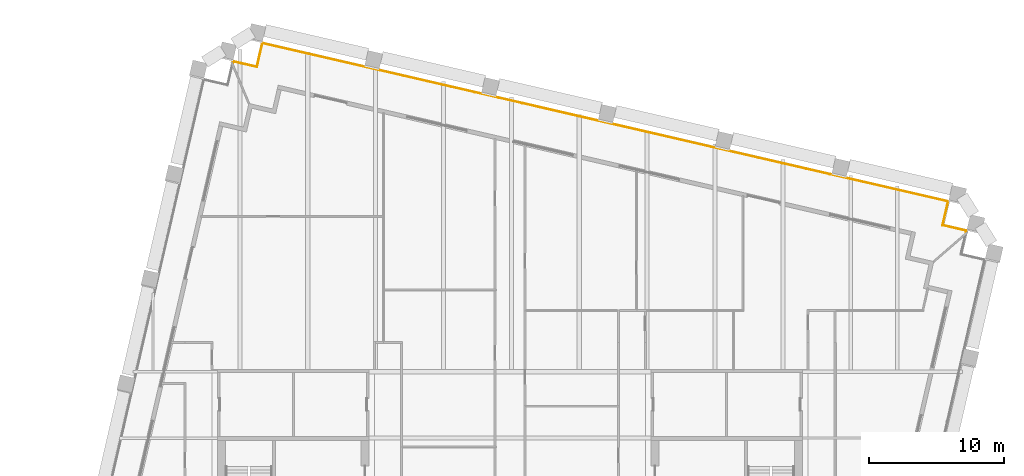
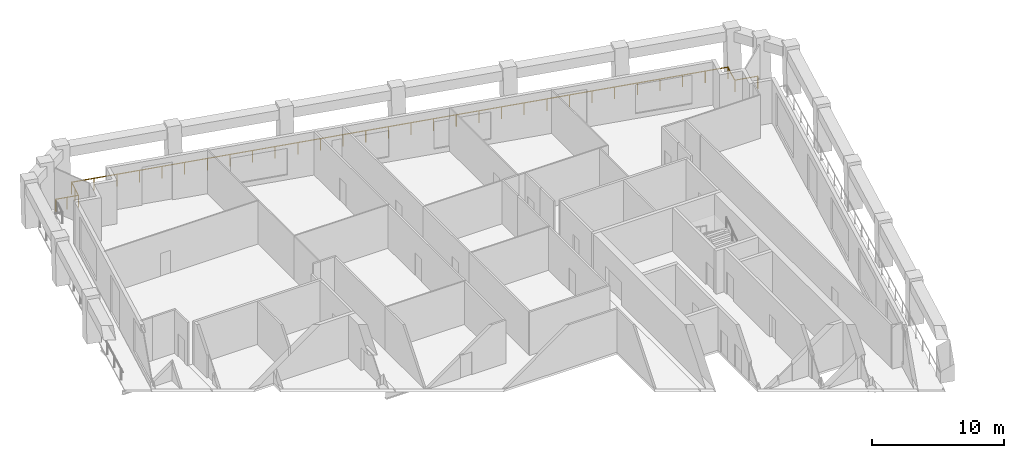
# One storey, part 11 of 11: 1 railing.
"""IFC4 building model written with IfcOpenShell, lengths in metres."""

from ifc_helpers import new_model, si_unit, direction, frame, origin, origin_2d, place, context, subcontext, project, spatial, circle, extrude, material, type_object, element, save


model = new_model("IFC4")

# Units and contexts
model_context = context("Model", 3, precision=1e-05, world=origin(), true_north=direction((0.0, 1.0)))
body_context = subcontext(model_context, "Body", "Model", "MODEL_VIEW")
ifc_project = project(units=[si_unit("LENGTHUNIT", "METRE"), si_unit("AREAUNIT", "SQUARE_METRE"), si_unit("VOLUMEUNIT", "CUBIC_METRE"), si_unit("PLANEANGLEUNIT", "RADIAN"), si_unit("MASSUNIT", "GRAM", prefix="KILO")], contexts=[model_context])

# Site, building, storey
site_placement = place(None, origin())
site = spatial("IfcSite", under=ifc_project, at=site_placement, CompositionType="ELEMENT")
building_placement = place(site_placement, origin())
building = spatial("IfcBuilding", under=site, at=building_placement, Name="Ogive Exchange Tower", CompositionType="ELEMENT")
storey_placement = place(building_placement, frame((0.0, 0.0, 247.199951171875)))
storey = spatial("IfcBuildingStorey", under=building, at=storey_placement, Name="L53", CompositionType="ELEMENT", Elevation=247.199951171875)

# Railing
ifc_material = material(Name="Stainless steel 316", Category="steel")
railing_type = type_object("IfcRailingType", Name="Guard 1100 stainless steel and glass", PredefinedType="GUARDRAIL", material=ifc_material)
railing_placement = place(storey_placement, frame((-20.466064453125, 53.34521484375, -0.050048828125)))
element("IfcRailing", 1, at=railing_placement, inside=storey, type_object=railing_type, Name="Loggia guard 3", PredefinedType="GUARDRAIL", context=body_context, shape_type="SweptSolid", body=[
    extrude(circle(Radius=0.02392578125, at=origin_2d()), frame((0.0, 0.0, 1.076171875), z_axis=(0.224041299099, 0.974579651079, 0.0), x_axis=(-0.974579651079, 0.224041299099, 0.0)), (0.0, 0.0, 1.0), 0.10888671875),
    extrude(circle(Radius=0.02392578125, at=origin_2d()), frame((0.0244140625, 0.106201171875, 1.076171875), z_axis=(0.974356896201, -0.225008086135, 0.0), x_axis=(0.225008086135, 0.974356896201, 0.0)), (0.0, 0.0, 1.0), 1.800048828125),
    extrude(circle(Radius=0.02392578125, at=origin_2d()), frame((1.7783203125, -0.298828125, 1.076171875), z_axis=(0.225008086135, 0.974356896201, 0.0), x_axis=(-0.974356896201, 0.225008086135, 0.0)), (0.0, 0.0, 1.0), 1.800048828125),
    extrude(circle(Radius=0.02392578125, at=origin_2d()), frame((2.183349609375, 1.455078125, 1.076171875), z_axis=(0.974369889087, -0.224951815376, 0.0), x_axis=(0.224951815376, 0.974369889087, 0.0)), (0.0, 0.0, 1.0), 51.9599609375),
    extrude(circle(Radius=0.02392578125, at=origin_2d()), frame((52.8115234375, -10.2333984375, 1.076171875), z_axis=(-0.224909041816, -0.974379763188, 0.0), x_axis=(0.974379763188, -0.224909041816, 0.0)), (0.0, 0.0, 1.0), 1.7998046875),
    extrude(circle(Radius=0.02392578125, at=origin_2d()), frame((52.40673828125, -11.987060546875, 1.076171875), z_axis=(0.974350028141, -0.22503782496, 0.0), x_axis=(0.22503782496, 0.974350028141, 0.0)), (0.0, 0.0, 1.0), 1.7998046875),
    extrude(circle(Radius=0.02392578125, at=origin_2d()), frame((54.160400390625, -12.39208984375, 1.076171875), z_axis=(-0.22355315143, -0.974691740237, 0.0), x_axis=(0.974691740237, -0.22355315143, 0.0)), (0.0, 0.0, 1.0), 0.109130859375),
    extrude(circle(Radius=0.02099609375, at=origin_2d()), origin(), (0.0, 0.0, 1.0), 1.052001953125),
    extrude(circle(Radius=0.02099609375, at=origin_2d()), frame((0.0244140625, 0.106201171875, 0.0)), (0.0, 0.0, 1.0), 1.052001953125),
    extrude(circle(Radius=0.02099609375, at=origin_2d()), frame((0.9013671875, -0.09619140625, 0.0)), (0.0, 0.0, 1.0), 1.052001953125),
    extrude(circle(Radius=0.02099609375, at=origin_2d()), frame((1.7783203125, -0.298828125, 0.0)), (0.0, 0.0, 1.0), 1.052001953125),
    extrude(circle(Radius=0.02099609375, at=origin_2d()), frame((1.98095703125, 0.578125, 0.0)), (0.0, 0.0, 1.0), 1.052001953125),
    extrude(circle(Radius=0.02099609375, at=origin_2d()), frame((2.183349609375, 1.455078125, 0.0)), (0.0, 0.0, 1.0), 1.052001953125),
    extrude(circle(Radius=0.02099609375, at=origin_2d()), frame((3.92919921875, 1.052001953125, 0.0)), (0.0, 0.0, 1.0), 1.052001953125),
    extrude(circle(Radius=0.02099609375, at=origin_2d()), frame((5.675048828125, 0.64892578125, 0.0)), (0.0, 0.0, 1.0), 1.052001953125),
    extrude(circle(Radius=0.02099609375, at=origin_2d()), frame((7.420654296875, 0.245849609375, 0.0)), (0.0, 0.0, 1.0), 1.052001953125),
    extrude(circle(Radius=0.02099609375, at=origin_2d()), frame((9.16650390625, -0.1572265625, 0.0)), (0.0, 0.0, 1.0), 1.052001953125),
    extrude(circle(Radius=0.02099609375, at=origin_2d()), frame((10.912353515625, -0.56005859375, 0.0)), (0.0, 0.0, 1.0), 1.052001953125),
    extrude(circle(Radius=0.02099609375, at=origin_2d()), frame((12.658203125, -0.963134765625, 0.0)), (0.0, 0.0, 1.0), 1.052001953125),
    extrude(circle(Radius=0.02099609375, at=origin_2d()), frame((14.404052734375, -1.3662109375, 0.0)), (0.0, 0.0, 1.0), 1.052001953125),
    extrude(circle(Radius=0.02099609375, at=origin_2d()), frame((16.149658203125, -1.769287109375, 0.0)), (0.0, 0.0, 1.0), 1.052001953125),
    extrude(circle(Radius=0.02099609375, at=origin_2d()), frame((17.8955078125, -2.17236328125, 0.0)), (0.0, 0.0, 1.0), 1.052001953125),
    extrude(circle(Radius=0.02099609375, at=origin_2d()), frame((19.641357421875, -2.575439453125, 0.0)), (0.0, 0.0, 1.0), 1.052001953125),
    extrude(circle(Radius=0.02099609375, at=origin_2d()), frame((21.38720703125, -2.978515625, 0.0)), (0.0, 0.0, 1.0), 1.052001953125),
    extrude(circle(Radius=0.02099609375, at=origin_2d()), frame((23.133056640625, -3.381591796875, 0.0)), (0.0, 0.0, 1.0), 1.052001953125),
    extrude(circle(Radius=0.02099609375, at=origin_2d()), frame((24.878662109375, -3.78466796875, 0.0)), (0.0, 0.0, 1.0), 1.052001953125),
    extrude(circle(Radius=0.02099609375, at=origin_2d()), frame((26.62451171875, -4.187744140625, 0.0)), (0.0, 0.0, 1.0), 1.052001953125),
    extrude(circle(Radius=0.02099609375, at=origin_2d()), frame((28.370361328125, -4.590576171875, 0.0)), (0.0, 0.0, 1.0), 1.052001953125),
    extrude(circle(Radius=0.02099609375, at=origin_2d()), frame((30.1162109375, -4.99365234375, 0.0)), (0.0, 0.0, 1.0), 1.052001953125),
    extrude(circle(Radius=0.02099609375, at=origin_2d()), frame((31.86181640625, -5.396728515625, 0.0)), (0.0, 0.0, 1.0), 1.052001953125),
    extrude(circle(Radius=0.02099609375, at=origin_2d()), frame((33.607666015625, -5.7998046875, 0.0)), (0.0, 0.0, 1.0), 1.052001953125),
    extrude(circle(Radius=0.02099609375, at=origin_2d()), frame((35.353515625, -6.202880859375, 0.0)), (0.0, 0.0, 1.0), 1.052001953125),
    extrude(circle(Radius=0.02099609375, at=origin_2d()), frame((37.099365234375, -6.60595703125, 0.0)), (0.0, 0.0, 1.0), 1.052001953125),
    extrude(circle(Radius=0.02099609375, at=origin_2d()), frame((38.84521484375, -7.009033203125, 0.0)), (0.0, 0.0, 1.0), 1.052001953125),
    extrude(circle(Radius=0.02099609375, at=origin_2d()), frame((40.5908203125, -7.412109375, 0.0)), (0.0, 0.0, 1.0), 1.052001953125),
    extrude(circle(Radius=0.02099609375, at=origin_2d()), frame((42.336669921875, -7.815185546875, 0.0)), (0.0, 0.0, 1.0), 1.052001953125),
    extrude(circle(Radius=0.02099609375, at=origin_2d()), frame((44.08251953125, -8.21826171875, 0.0)), (0.0, 0.0, 1.0), 1.052001953125),
    extrude(circle(Radius=0.02099609375, at=origin_2d()), frame((45.828369140625, -8.62109375, 0.0)), (0.0, 0.0, 1.0), 1.052001953125),
    extrude(circle(Radius=0.02099609375, at=origin_2d()), frame((47.57421875, -9.024169921875, 0.0)), (0.0, 0.0, 1.0), 1.052001953125),
    extrude(circle(Radius=0.02099609375, at=origin_2d()), frame((49.31982421875, -9.42724609375, 0.0)), (0.0, 0.0, 1.0), 1.052001953125),
    extrude(circle(Radius=0.02099609375, at=origin_2d()), frame((51.065673828125, -9.830322265625, 0.0)), (0.0, 0.0, 1.0), 1.052001953125),
    extrude(circle(Radius=0.02099609375, at=origin_2d()), frame((52.8115234375, -10.2333984375, 0.0)), (0.0, 0.0, 1.0), 1.052001953125),
    extrude(circle(Radius=0.02099609375, at=origin_2d()), frame((52.40673828125, -11.987060546875, 0.0)), (0.0, 0.0, 1.0), 1.052001953125),
    extrude(circle(Radius=0.02099609375, at=origin_2d()), frame((54.160400390625, -12.39208984375, 0.0)), (0.0, 0.0, 1.0), 1.052001953125),
    extrude(circle(Radius=0.02099609375, at=origin_2d()), frame((54.135986328125, -12.49853515625, 0.0)), (0.0, 0.0, 1.0), 1.052001953125),
])

save(model, "model.ifc")
